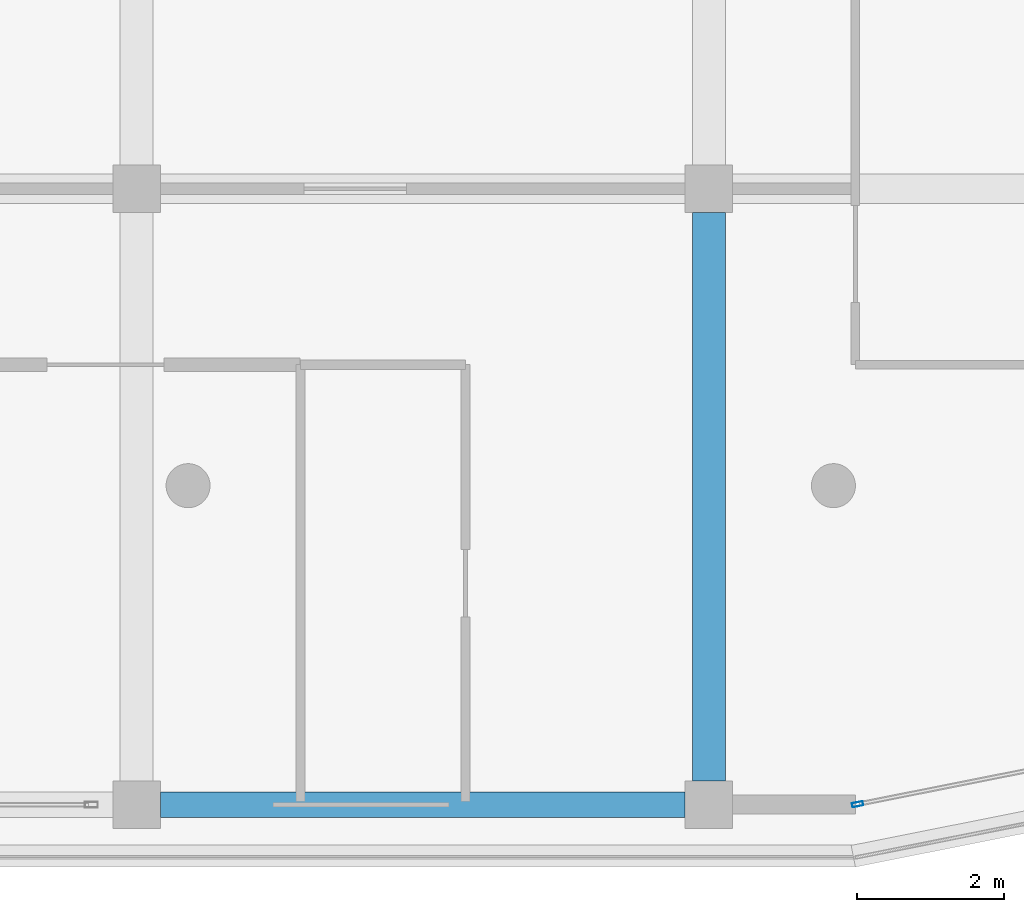
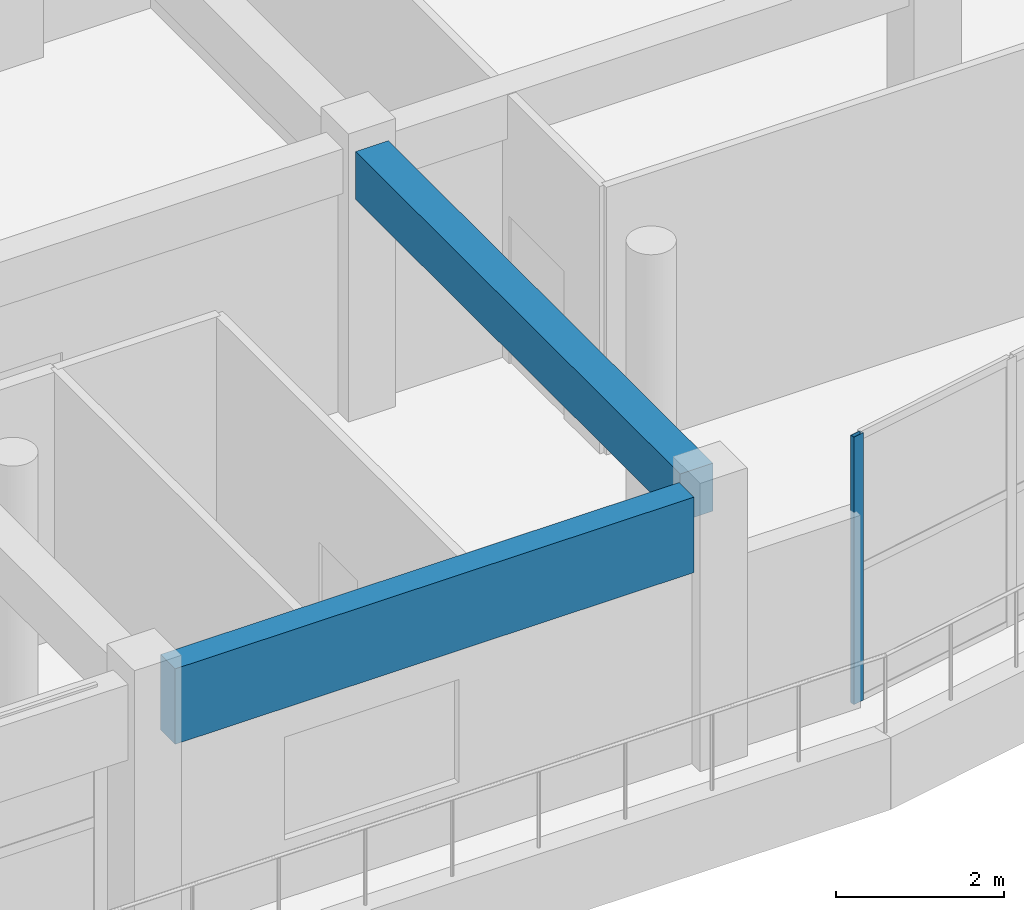
# One storey, part 29 of 63: 2 beams, 1 member, 1 element without a shape of its own.
"""IFC4 building model written with IfcOpenShell, lengths in metres."""

from ifc_helpers import new_model, si_unit, direction, frame, origin, origin_2d, place, context, subcontext, project, spatial, rectangle, hollow_rectangle, extrude, material, layer, layer_set, material_profile, profile_set, type_object, element, aggregate, save


model = new_model("IFC4")

# Units and contexts
model_context = context("Model", 3, precision=1e-05, world=origin(), true_north=direction((0.0, 1.0)))
body_context = subcontext(model_context, "Body", "Model", "MODEL_VIEW")
ifc_project = project(units=[si_unit("LENGTHUNIT", "METRE"), si_unit("AREAUNIT", "SQUARE_METRE"), si_unit("VOLUMEUNIT", "CUBIC_METRE"), si_unit("PLANEANGLEUNIT", "RADIAN"), si_unit("MASSUNIT", "GRAM", prefix="KILO")], contexts=[model_context])

# Site, building, storey
site_placement = place(None, origin())
site = spatial("IfcSite", under=ifc_project, at=site_placement, CompositionType="ELEMENT")
building_placement = place(site_placement, origin())
building = spatial("IfcBuilding", under=site, at=building_placement, Name="Zizhar Promenade General Hospital", CompositionType="ELEMENT")
storey_placement = place(building_placement, frame((0.0, 0.0, 18.0)))
storey = spatial("IfcBuildingStorey", under=building, at=storey_placement, Name="L04", CompositionType="ELEMENT", Elevation=18.0)

# Beams
ifc_material_1 = material(Name="Precast concrete C40/50", Category="concrete")
ifc_material_profile_1 = material_profile(ifc_material_1, rectangle(XDim=0.35009765625, YDim=1.10009765625, at=origin_2d()))
ifc_profile_set_1 = profile_set([ifc_material_profile_1], Name="Precast concrete C40/50")
beam_type_1 = type_object("IfcBeamType", Name="BM-PC-BAND1100", PredefinedType="SPANDREL", material=ifc_profile_set_1)
beam_1_placement = place(storey_placement, frame((109.52490234375, 0.0, 3.360107421875), z_axis=(1.0, 0.0, 0.0), x_axis=(0.0, 1.0, 0.0)))
element("IfcBeam", 1, at=beam_1_placement, inside=storey, type_object=beam_type_1, Name="Grid Beam X L04 (14-0)", PredefinedType="SPANDREL", context=body_context, shape_type="SweptSolid", body=[
    extrude(rectangle(XDim=0.35009765625, YDim=1.10009765625, at=origin_2d()), origin(), (0.0, 0.0, 1.0), 7.150146484375),
])
ifc_material_2 = material(Name="Concrete C35/45", Category="concrete")
ifc_material_profile_2 = material_profile(ifc_material_2, rectangle(XDim=0.449951171875, YDim=0.699951171875, at=origin_2d()))
ifc_profile_set_2 = profile_set([ifc_material_profile_2], Name="Concrete C35/45")
beam_type_2 = type_object("IfcBeamType", Name="BM-RC-450x700", PredefinedType="BEAM", material=ifc_profile_set_2)
beam_2_placement = place(storey_placement, frame((117.0, 0.324951171875, 3.56005859375), z_axis=(0.0, 1.0, 0.0), x_axis=(-1.0, 0.0, 0.0)))
element("IfcBeam", 2, at=beam_2_placement, inside=storey, type_object=beam_type_2, Name="Grid Beam Y L04 (15-0)", PredefinedType="BEAM", context=body_context, shape_type="SweptSolid", body=[
    extrude(rectangle(XDim=0.449951171875, YDim=0.699951171875, at=origin_2d()), origin(), (0.0, 0.0, 1.0), 7.75),
])

# Curtain wall, member
ifc_material_3 = material(Name="Anodised aluminium 6063-T6 and low-E glass", Category="aluminium")
ifc_layer = layer(ifc_material_3, 0.159912109375)
ifc_layer_set = layer_set([ifc_layer], Name="Anodised aluminium 6063-T6 and low-E glass")
curtain_wall_type = type_object("IfcCurtainWallType", Name="CW-WARD-ARC", PredefinedType="NOTDEFINED", material=ifc_layer_set)
curtain_wall_placement = place(storey_placement, origin())
curtain_wall = element("IfcCurtainWall", 3, at=curtain_wall_placement, inside=storey, type_object=curtain_wall_type, Name="Ward Semicircular End Glazing L04-01", PredefinedType="NOTDEFINED")
ifc_material_4 = material(Name="Anodised aluminium 6063-T6", Category="aluminium")
ifc_material_profile_3 = material_profile(ifc_material_4, hollow_rectangle(XDim=0.06005859375, YDim=0.14990234375, WallThickness=0.00390625, at=origin_2d()))
ifc_profile_set_3 = profile_set([ifc_material_profile_3], Name="Anodised aluminium 6063-T6")
member_type = type_object("IfcMemberType", Name="CWM-ALU-150x60", PredefinedType="MULLION", material=ifc_profile_set_3)
member_placement = place(storey_placement, frame((119.029541015625, 0.005859375, 0.0), z_axis=(0.0, 0.0, 1.0), x_axis=(0.195087259275, -0.980785889615, 0.0)))
member = element("IfcMember", 4, at=member_placement, type_object=member_type, Name="CW-12 mullion 3", PredefinedType="MULLION", context=body_context, shape_type="SweptSolid", body=[
    extrude(hollow_rectangle(XDim=0.06005859375, YDim=0.14990234375, WallThickness=0.00390625, at=origin_2d()), origin(), (0.0, 0.0, 1.0), 3.89990234375),
])
aggregate(curtain_wall, [member])

save(model, "model.ifc")
